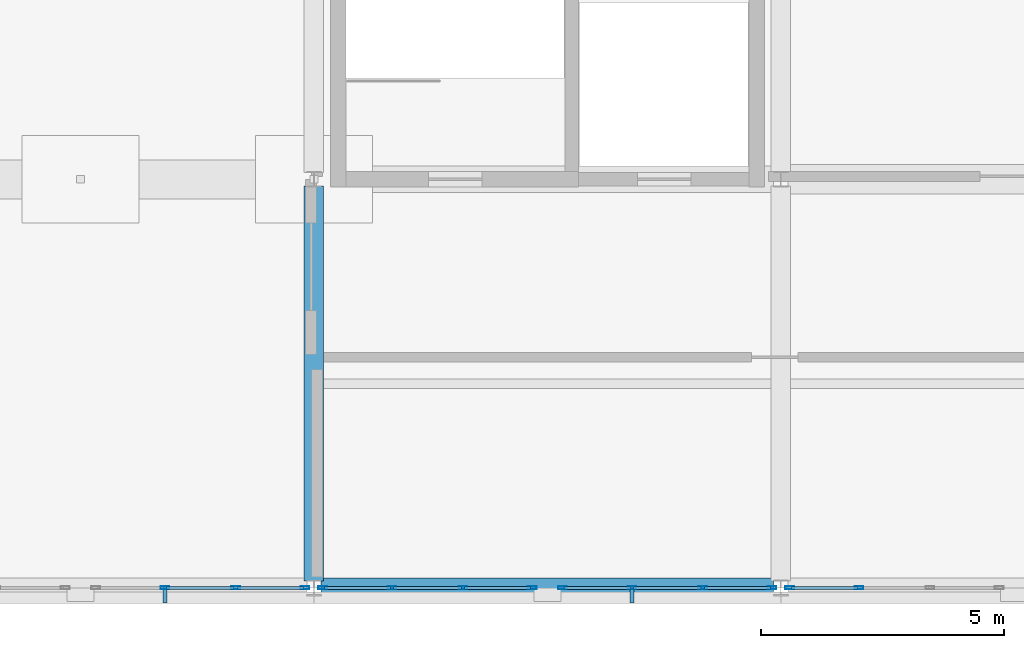
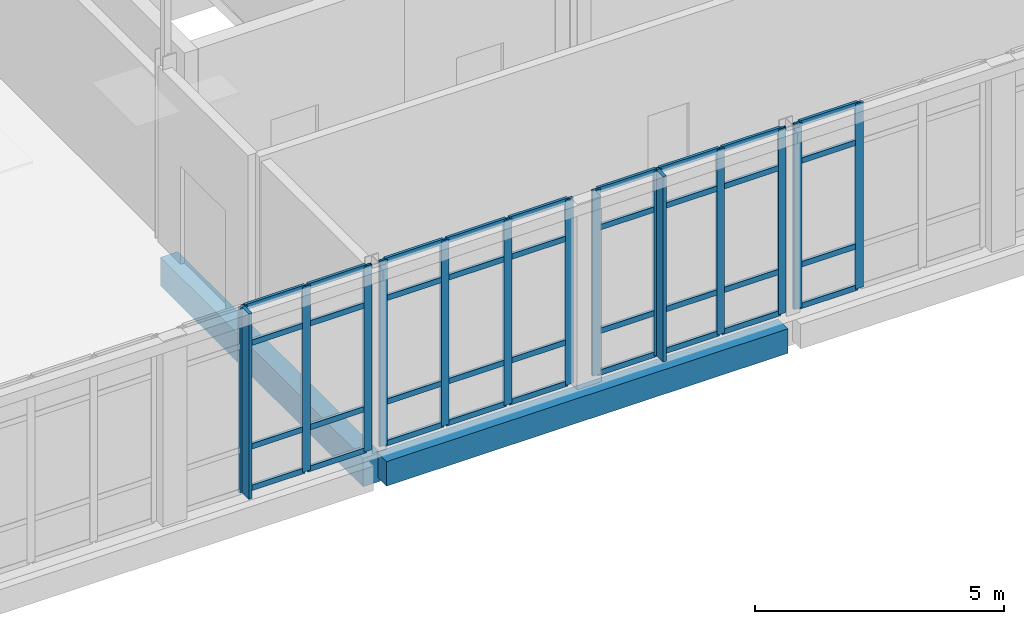
# One storey, part 10 of 88: 51 members, 2 beams, 4 elements without a shape of their own.
"""IFC4 building model written with IfcOpenShell, lengths in metres."""

import ifcopenshell
import ifcopenshell.guid

model = None  # the IFC model being written
_history = None  # IfcOwnerHistory: only IFC2X3 demands one
_inside = {}  # id of a spatial element -> (the spatial element, [elements in it])
_under = {}  # id of a project, library or spatial element -> (it, [spatial elements below it])
_declared = {}  # id of a project -> (the project, [libraries it declares])
_typed = {}  # id of a type object -> (the type object, [elements of that type])
_made_of = {}  # id of a material, layer set ... -> (it, [elements and type objects made of it])


def new_model(schema):
    """Start an empty IFC model of exactly this schema.

    Asked for "IFC4X3", IfcOpenShell would pick the latest addendum, in which some entities
    have other attributes; the version numbers below select the first issue.
    IFC2X3 requires an IfcOwnerHistory on every rooted entity: one is made here for all.
    """
    global model, _history
    if schema == "IFC4X3":
        model = ifcopenshell.file(schema_version=(4, 3, 0, 0))
    else:
        model = ifcopenshell.file(schema=schema)
    _inside.clear()
    _under.clear()
    _declared.clear()
    _typed.clear()
    _made_of.clear()
    _history = None
    if model.schema == "IFC2X3":
        org = make("IfcOrganization", Name="unknown")
        user = make(
            "IfcPersonAndOrganization",
            ThePerson=make("IfcPerson", FamilyName="unknown"),
            TheOrganization=org,
        )
        app = make(
            "IfcApplication",
            ApplicationDeveloper=org,
            Version="unknown",
            ApplicationFullName="unknown",
            ApplicationIdentifier="unknown",
        )
        _history = make(
            "IfcOwnerHistory",
            OwningUser=user,
            OwningApplication=app,
            ChangeAction="ADDED",
            CreationDate=0,
        )
    return model


def make(cls, **values):
    """One entity of the class cls with the attributes given. An attribute that is None is left unset."""
    return model.create_entity(
        cls, **{name: value for name, value in values.items() if value is not None}
    )


def rooted(cls, **values):
    """An entity with a GlobalId (a new one), such as an element, a storey or a relation."""
    return make(cls, GlobalId=ifcopenshell.guid.new(), OwnerHistory=_history, **values)


def si_unit(unit_type, name, prefix=None):
    """IfcSIUnit, for example si_unit("LENGTHUNIT", "METRE", prefix="MILLI")."""
    return make("IfcSIUnit", UnitType=unit_type, Prefix=prefix, Name=name)


def assignment(units):
    """IfcUnitAssignment: the units of a project."""
    return None if units is None else make("IfcUnitAssignment", Units=units)


def point(xyz):
    """IfcCartesianPoint."""
    return None if xyz is None else make("IfcCartesianPoint", Coordinates=xyz)


def direction(xyz):
    """IfcDirection."""
    return None if xyz is None else make("IfcDirection", DirectionRatios=xyz)


def frame(location, z_axis=None, x_axis=None):
    """IfcAxis2Placement3D, a coordinate frame: its origin and axes. An axis left out is left unset."""
    return make(
        "IfcAxis2Placement3D",
        Location=point(location),
        Axis=direction(z_axis),
        RefDirection=direction(x_axis),
    )


def frame_2d(location, x_axis=None):
    """IfcAxis2Placement2D, a coordinate frame in the plane: its origin and x axis."""
    return make(
        "IfcAxis2Placement2D", Location=point(location), RefDirection=direction(x_axis)
    )


def origin():
    """The frame at (0, 0, 0) with its axes left unset."""
    return frame((0.0, 0.0, 0.0))


def origin_2d():
    """The frame at (0, 0) in the plane with its x axis left unset."""
    return frame_2d((0.0, 0.0))


def place(relative_to, where):
    """IfcLocalPlacement: puts the frame where relative to a parent placement (None: the world)."""
    return make(
        "IfcLocalPlacement", PlacementRelTo=relative_to, RelativePlacement=where
    )


def context(
    kind, dimensions, precision=None, world=None, true_north=None, identifier=None
):
    """IfcGeometricRepresentationContext, for example the 3D "Model" context."""
    return make(
        "IfcGeometricRepresentationContext",
        ContextIdentifier=identifier,
        ContextType=kind,
        CoordinateSpaceDimension=dimensions,
        Precision=precision,
        WorldCoordinateSystem=world,
        TrueNorth=true_north,
    )


def subcontext(parent, identifier, kind, view, scale=None):
    """IfcGeometricRepresentationSubContext, for example "Body" below "Model"."""
    return make(
        "IfcGeometricRepresentationSubContext",
        ContextIdentifier=identifier,
        ContextType=kind,
        ParentContext=parent,
        TargetScale=scale,
        TargetView=view,
    )


def project(units=None, contexts=None):
    """IfcProject with its units and contexts."""
    return rooted(
        "IfcProject",
        Name="project",
        RepresentationContexts=contexts,
        UnitsInContext=assignment(units),
    )


def spatial(cls, under=None, at=None, **own):
    """A site, building, storey or space (cls), placed at a placement, below another one or the project."""
    s = rooted(cls, ObjectPlacement=at, **own)
    if under is not None:
        _under.setdefault(under.id(), (under, []))[1].append(s)
    return s


def profile(cls, at=None, kind="AREA", **sizes):
    """A parametric profile (cls). Its sizes go by their IFC names, for example OverallWidth=200.0."""
    return make(cls, ProfileType=kind, Position=at, **sizes)


def rectangle(**sizes):
    """IfcRectangleProfileDef."""
    return profile("IfcRectangleProfileDef", **sizes)


def hollow_rectangle(**sizes):
    """IfcRectangleHollowProfileDef."""
    return profile("IfcRectangleHollowProfileDef", **sizes)


def extrude(swept, where, along, depth):
    """IfcExtrudedAreaSolid: the profile swept, set in the frame where, extruded along a direction by depth."""
    return make(
        "IfcExtrudedAreaSolid",
        SweptArea=swept,
        Position=where,
        ExtrudedDirection=direction(along),
        Depth=depth,
    )


def shape(context_of_items, identifier, shape_type, items):
    """IfcShapeRepresentation: the items that make up one representation, for example the "Body"."""
    return make(
        "IfcShapeRepresentation",
        ContextOfItems=context_of_items,
        RepresentationIdentifier=identifier,
        RepresentationType=shape_type,
        Items=items,
    )


def material(Name=None, Category=None):
    """IfcMaterial."""
    return make("IfcMaterial", Name=Name, Category=Category)


def layer(
    of_material, thickness, ventilated=None, Name=None, Category=None, Priority=None
):
    """IfcMaterialLayer: one layer of a wall or slab, of a material (None: an air gap)."""
    return make(
        "IfcMaterialLayer",
        Material=of_material,
        LayerThickness=thickness,
        IsVentilated=ventilated,
        Name=Name,
        Category=Category,
        Priority=Priority,
    )


def layer_set(layers, Name=None):
    """IfcMaterialLayerSet."""
    return make("IfcMaterialLayerSet", MaterialLayers=layers, LayerSetName=Name)


def material_profile(
    of_material, cross_section, Name=None, Category=None, Priority=None
):
    """IfcMaterialProfile: a cross section and its material."""
    return make(
        "IfcMaterialProfile",
        Name=Name,
        Material=of_material,
        Profile=cross_section,
        Priority=Priority,
        Category=Category,
    )


def profile_set(profiles, Name=None, composite=None):
    """IfcMaterialProfileSet."""
    return make(
        "IfcMaterialProfileSet",
        Name=Name,
        MaterialProfiles=profiles,
        CompositeProfile=composite,
    )


def made_of(thing, what):
    """Note that an element or type object is made of a material, layer set ...; save() writes the relation."""
    if what is not None:
        _made_of.setdefault(what.id(), (what, []))[1].append(thing)
    return thing


def type_object(cls, material=None, **own):
    """A type object (cls), such as IfcWallType, which elements share."""
    return made_of(rooted(cls, **own), material)


def element(
    cls,
    number,
    at=None,
    inside=None,
    cuts=None,
    type_object=None,
    material=None,
    context=None,
    identifier="Body",
    shape_type=None,
    held_by="IfcProductDefinitionShape",
    body=None,
    shapes=None,
    **own,
):
    """One element of the class cls, such as IfcWall. Its Tag is "e" and its number.

    at: its placement. inside: the storey or other place that contains it. cuts: it is an
    opening in that element (IfcRelVoidsElement). A single representation is given by context,
    identifier, shape_type and body (its items); several are given by shapes. held_by: the class
    of the entity that holds the representations. save() writes the other relations.
    """
    e = rooted(cls, Tag="e%d" % number, ObjectPlacement=at, **own)
    if body is not None:
        shapes = [shape(context, identifier, shape_type, body)]
    if shapes is not None:
        e.Representation = make(held_by, Representations=shapes)
    if inside is not None:
        _inside.setdefault(inside.id(), (inside, []))[1].append(e)
    if cuts is not None:
        rooted(
            "IfcRelVoidsElement", RelatingBuildingElement=cuts, RelatedOpeningElement=e
        )
    if type_object is not None:
        _typed.setdefault(type_object.id(), (type_object, []))[1].append(e)
    return made_of(e, material)


def aggregate(whole, parts):
    """IfcRelAggregates: a whole, such as a stair, and the parts it consists of."""
    return rooted("IfcRelAggregates", RelatingObject=whole, RelatedObjects=parts)


def save(model, path):
    """Write the relations noted so far, then the file.

    IfcRelAggregates (storeys below a building ...), IfcRelContainedInSpatialStructure (elements
    in a storey), IfcRelDefinesByType, IfcRelAssociatesMaterial and IfcRelDeclares: one each for
    every whole, place, type object, material and project.
    """
    for whole, parts in _under.values():
        aggregate(whole, parts)
    for where, things in _inside.values():
        rooted(
            "IfcRelContainedInSpatialStructure",
            RelatedElements=things,
            RelatingStructure=where,
        )
    for kind, things in _typed.values():
        rooted("IfcRelDefinesByType", RelatedObjects=things, RelatingType=kind)
    for what, things in _made_of.values():
        rooted("IfcRelAssociatesMaterial", RelatedObjects=things, RelatingMaterial=what)
    for by, libraries in _declared.values():
        rooted("IfcRelDeclares", RelatingContext=by, RelatedDefinitions=libraries)
    model.write(path)


model = new_model("IFC4")

# Units and contexts
model_context = context("Model", 3, precision=1e-05, world=origin(), true_north=direction((0.0, 1.0)))
body_context = subcontext(model_context, "Body", "Model", "MODEL_VIEW")
ifc_project = project(units=[si_unit("LENGTHUNIT", "METRE"), si_unit("AREAUNIT", "SQUARE_METRE"), si_unit("VOLUMEUNIT", "CUBIC_METRE"), si_unit("PLANEANGLEUNIT", "RADIAN"), si_unit("MASSUNIT", "GRAM", prefix="KILO")], contexts=[model_context])

# Site, building, storey
site_placement = place(None, origin())
site = spatial("IfcSite", under=ifc_project, at=site_placement, CompositionType="ELEMENT")
building_placement = place(site_placement, origin())
building = spatial("IfcBuilding", under=site, at=building_placement, Name="Lornevale Opera House", CompositionType="ELEMENT")
storey_placement = place(building_placement, frame((0.0, 0.0, 10.199951171875)))
storey = spatial("IfcBuildingStorey", under=building, at=storey_placement, Name="L03", CompositionType="ELEMENT", Elevation=10.199951171875)

# Beams
ifc_material_1 = material(Name="Concrete 35 MPa (CSA A23.1 N)", Category="concrete")
ifc_material_profile_1 = material_profile(ifc_material_1, rectangle(XDim=0.39990234375, YDim=0.699951171875, at=origin_2d()), Name="RC400x700")
ifc_profile_set_1 = profile_set([ifc_material_profile_1], Name="Concrete 35 MPa (CSA A23.1 N)")
beam_type_1 = type_object("IfcBeamType", Name="Concrete Floor Beam 400x700", PredefinedType="USERDEFINED", material=ifc_profile_set_1)
beam_1_placement = place(storey_placement, frame((19.199951171875, 0.137451171875, -0.6298828125), z_axis=(0.0, 1.0, 0.0), x_axis=(-1.0, 0.0, 0.0)))
element("IfcBeam", 1, at=beam_1_placement, inside=storey, type_object=beam_type_1, Name="Concrete Floor Beam 400x700 2238", ObjectType="GIRDER", PredefinedType="USERDEFINED", context=body_context, shape_type="SweptSolid", body=[
    extrude(rectangle(XDim=0.39990234375, YDim=0.699951171875, at=origin_2d()), origin(), (0.0, 0.0, 1.0), 8.125),
])
ifc_material_profile_2 = material_profile(ifc_material_1, rectangle(XDim=0.39990234375, YDim=0.60009765625, at=origin_2d()), Name="RC400x600")
ifc_profile_set_2 = profile_set([ifc_material_profile_2], Name="Concrete 35 MPa (CSA A23.1 N)")
beam_type_2 = type_object("IfcBeamType", Name="Concrete Spandrel Beam 400x600", PredefinedType="SPANDREL", material=ifc_profile_set_2)
beam_2_placement = place(storey_placement, frame((19.346923828125, 0.0, -0.579833984375), z_axis=(1.0, 0.0, 0.0), x_axis=(0.0, 1.0, 0.0)))
element("IfcBeam", 2, at=beam_2_placement, inside=storey, type_object=beam_type_2, Name="Concrete Spandrel Beam 400x600 2084", PredefinedType="SPANDREL", context=body_context, shape_type="SweptSolid", body=[
    extrude(rectangle(XDim=0.39990234375, YDim=0.60009765625, at=origin_2d()), origin(), (0.0, 0.0, 1.0), 9.30615234375),
])

# Curtain wall, members
ifc_material_2 = material(Name="Anodized Oxide-Green Aluminium Framing", Category="aluminium")
ifc_layer = layer(ifc_material_2, 0.175048828125)
ifc_layer_set = layer_set([ifc_layer], Name="Anodized Oxide-Green Aluminium Framing")
curtain_wall_type = type_object("IfcCurtainWallType", Name="Chamber Cloister Curtain Wall M1700", PredefinedType="NOTDEFINED", material=ifc_layer_set)
curtain_wall_1_placement = place(storey_placement, origin())
curtain_wall_1 = element("IfcCurtainWall", 3, at=curtain_wall_1_placement, inside=storey, type_object=curtain_wall_type, Name="Chamber Cloister Curtain Wall M1700 CW-100", PredefinedType="NOTDEFINED")
ifc_material_profile_3 = material_profile(ifc_material_2, hollow_rectangle(XDim=0.06494140625, YDim=0.179931640625, WallThickness=0.0048828125, at=origin_2d()), Name="ALU65x180x5")
ifc_profile_set_3 = profile_set([ifc_material_profile_3], Name="Anodized Oxide-Green Aluminium Framing")
member_type_1 = type_object("IfcMemberType", Name="Curtain Wall Mullion 65x180", PredefinedType="MULLION", material=ifc_profile_set_3)
member_1_placement = place(storey_placement, frame((19.01708984375, 0.0, 0.0), z_axis=(0.0, 0.0, 1.0), x_axis=(0.0, -1.0, 0.0)))
member_1 = element("IfcMember", 4, at=member_1_placement, type_object=member_type_1, Name="Curtain Wall Mullion 65x180 CW2020", PredefinedType="MULLION", context=body_context, shape_type="SweptSolid", body=[
    extrude(hollow_rectangle(XDim=0.06494140625, YDim=0.179931640625, WallThickness=0.0048828125, at=origin_2d()), origin(), (0.0, 0.0, 1.0), 4.5400390625),
])
member_2_placement = place(storey_placement, frame((17.593017578125, 0.0, 0.0), z_axis=(0.0, 0.0, 1.0), x_axis=(0.0, -1.0, 0.0)))
member_2 = element("IfcMember", 5, at=member_2_placement, type_object=member_type_1, Name="Curtain Wall Mullion 65x180 CW2021", PredefinedType="MULLION", context=body_context, shape_type="SweptSolid", body=[
    extrude(hollow_rectangle(XDim=0.06494140625, YDim=0.179931640625, WallThickness=0.0048828125, at=origin_2d()), origin(), (0.0, 0.0, 1.0), 4.5400390625),
])
member_3_placement = place(storey_placement, frame((16.136474609375, 0.0, 0.0), z_axis=(0.0, 0.0, 1.0), x_axis=(0.0, -1.0, 0.0)))
member_3 = element("IfcMember", 6, at=member_3_placement, type_object=member_type_1, Name="Curtain Wall Mullion 65x180 CW2022", PredefinedType="MULLION", context=body_context, shape_type="SweptSolid", body=[
    extrude(hollow_rectangle(XDim=0.06494140625, YDim=0.179931640625, WallThickness=0.0048828125, at=origin_2d()), origin(), (0.0, 0.0, 1.0), 4.5400390625),
])

curtain_wall_2_placement = place(storey_placement, origin())
curtain_wall_2 = element("IfcCurtainWall", 7, at=curtain_wall_2_placement, inside=storey, type_object=curtain_wall_type, Name="Chamber Cloister Curtain Wall M1700 CW-108", PredefinedType="NOTDEFINED")
member_4_placement = place(storey_placement, frame((28.616943359375, 0.0, 0.0), z_axis=(0.0, 0.0, 1.0), x_axis=(0.0, -1.0, 0.0)))
member_4 = element("IfcMember", 8, at=member_4_placement, type_object=member_type_1, Name="Curtain Wall Mullion 65x180 CW2220", PredefinedType="MULLION", context=body_context, shape_type="SweptSolid", body=[
    extrude(hollow_rectangle(XDim=0.06494140625, YDim=0.179931640625, WallThickness=0.0048828125, at=origin_2d()), origin(), (0.0, 0.0, 1.0), 4.5400390625),
])
member_5_placement = place(storey_placement, frame((27.193115234375, 0.0, 0.0), z_axis=(0.0, 0.0, 1.0), x_axis=(0.0, -1.0, 0.0)))
member_5 = element("IfcMember", 9, at=member_5_placement, type_object=member_type_1, Name="Curtain Wall Mullion 65x180 CW2221", PredefinedType="MULLION", context=body_context, shape_type="SweptSolid", body=[
    extrude(hollow_rectangle(XDim=0.06494140625, YDim=0.179931640625, WallThickness=0.0048828125, at=origin_2d()), origin(), (0.0, 0.0, 1.0), 4.5400390625),
])
member_6_placement = place(storey_placement, frame((25.736572265625, 0.0, 0.0), z_axis=(0.0, 0.0, 1.0), x_axis=(0.0, -1.0, 0.0)))
member_6 = element("IfcMember", 10, at=member_6_placement, type_object=member_type_1, Name="Curtain Wall Mullion 65x180 CW2222", PredefinedType="MULLION", context=body_context, shape_type="SweptSolid", body=[
    extrude(hollow_rectangle(XDim=0.06494140625, YDim=0.179931640625, WallThickness=0.0048828125, at=origin_2d()), origin(), (0.0, 0.0, 1.0), 4.5400390625),
])
member_7_placement = place(storey_placement, frame((24.3125, 0.0, 0.0), z_axis=(0.0, 0.0, 1.0), x_axis=(0.0, -1.0, 0.0)))
member_7 = element("IfcMember", 11, at=member_7_placement, type_object=member_type_1, Name="Curtain Wall Mullion 65x180 CW2223", PredefinedType="MULLION", context=body_context, shape_type="SweptSolid", body=[
    extrude(hollow_rectangle(XDim=0.06494140625, YDim=0.179931640625, WallThickness=0.0048828125, at=origin_2d()), origin(), (0.0, 0.0, 1.0), 4.5400390625),
])

curtain_wall_3_placement = place(storey_placement, origin())
curtain_wall_3 = element("IfcCurtainWall", 12, at=curtain_wall_3_placement, inside=storey, type_object=curtain_wall_type, Name="Chamber Cloister Curtain Wall M1700 CW-109", PredefinedType="NOTDEFINED")
member_8_placement = place(storey_placement, frame((23.6875, 0.0, 0.0), z_axis=(0.0, 0.0, 1.0), x_axis=(0.0, -1.0, 0.0)))
member_8 = element("IfcMember", 13, at=member_8_placement, type_object=member_type_1, Name="Curtain Wall Mullion 65x180 CW2245", PredefinedType="MULLION", context=body_context, shape_type="SweptSolid", body=[
    extrude(hollow_rectangle(XDim=0.06494140625, YDim=0.179931640625, WallThickness=0.0048828125, at=origin_2d()), origin(), (0.0, 0.0, 1.0), 4.5400390625),
])
member_9_placement = place(storey_placement, frame((22.263427734375, 0.0, 0.0), z_axis=(0.0, 0.0, 1.0), x_axis=(0.0, -1.0, 0.0)))
member_9 = element("IfcMember", 14, at=member_9_placement, type_object=member_type_1, Name="Curtain Wall Mullion 65x180 CW2246", PredefinedType="MULLION", context=body_context, shape_type="SweptSolid", body=[
    extrude(hollow_rectangle(XDim=0.06494140625, YDim=0.179931640625, WallThickness=0.0048828125, at=origin_2d()), origin(), (0.0, 0.0, 1.0), 4.5400390625),
])
member_10_placement = place(storey_placement, frame((20.806884765625, 0.0, 0.0), z_axis=(0.0, 0.0, 1.0), x_axis=(0.0, -1.0, 0.0)))
member_10 = element("IfcMember", 15, at=member_10_placement, type_object=member_type_1, Name="Curtain Wall Mullion 65x180 CW2247", PredefinedType="MULLION", context=body_context, shape_type="SweptSolid", body=[
    extrude(hollow_rectangle(XDim=0.06494140625, YDim=0.179931640625, WallThickness=0.0048828125, at=origin_2d()), origin(), (0.0, 0.0, 1.0), 4.5400390625),
])
member_11_placement = place(storey_placement, frame((19.383056640625, 0.0, 0.0), z_axis=(0.0, 0.0, 1.0), x_axis=(0.0, -1.0, 0.0)))
member_11 = element("IfcMember", 16, at=member_11_placement, type_object=member_type_1, Name="Curtain Wall Mullion 65x180 CW2248", PredefinedType="MULLION", context=body_context, shape_type="SweptSolid", body=[
    extrude(hollow_rectangle(XDim=0.06494140625, YDim=0.179931640625, WallThickness=0.0048828125, at=origin_2d()), origin(), (0.0, 0.0, 1.0), 4.5400390625),
])

curtain_wall_4_placement = place(storey_placement, origin())
curtain_wall_4 = element("IfcCurtainWall", 17, at=curtain_wall_4_placement, inside=storey, type_object=curtain_wall_type, Name="Chamber Cloister Curtain Wall M1700 CW-117", PredefinedType="NOTDEFINED")
member_12_placement = place(storey_placement, frame((30.406982421875, 0.0, 0.0), z_axis=(0.0, 0.0, 1.0), x_axis=(0.0, -1.0, 0.0)))
member_12 = element("IfcMember", 18, at=member_12_placement, type_object=member_type_1, Name="Curtain Wall Mullion 65x180 CW2439", PredefinedType="MULLION", context=body_context, shape_type="SweptSolid", body=[
    extrude(hollow_rectangle(XDim=0.06494140625, YDim=0.179931640625, WallThickness=0.0048828125, at=origin_2d()), origin(), (0.0, 0.0, 1.0), 4.5400390625),
])
member_13_placement = place(storey_placement, frame((28.98291015625, 0.0, 0.0), z_axis=(0.0, 0.0, 1.0), x_axis=(0.0, -1.0, 0.0)))
member_13 = element("IfcMember", 19, at=member_13_placement, type_object=member_type_1, Name="Curtain Wall Mullion 65x180 CW2440", PredefinedType="MULLION", context=body_context, shape_type="SweptSolid", body=[
    extrude(hollow_rectangle(XDim=0.06494140625, YDim=0.179931640625, WallThickness=0.0048828125, at=origin_2d()), origin(), (0.0, 0.0, 1.0), 4.5400390625),
])

# Member
ifc_material_profile_4 = material_profile(ifc_material_2, hollow_rectangle(XDim=0.06494140625, YDim=0.135009765625, WallThickness=0.00390625, at=origin_2d()), Name="ALU65x135x4")
ifc_profile_set_4 = profile_set([ifc_material_profile_4], Name="Anodized Oxide-Green Aluminium Framing")
member_type_2 = type_object("IfcMemberType", Name="Curtain Wall Transom 65x135", PredefinedType="USERDEFINED", material=ifc_profile_set_4)
member_14_placement = place(storey_placement, frame((18.984619140625, 0.0, 0.032470703125), z_axis=(-1.0, 0.0, 0.0), x_axis=(0.0, -1.0, 0.0)))
member_14 = element("IfcMember", 20, at=member_14_placement, type_object=member_type_2, Name="Curtain Wall Transom 65x135 CW2024", ObjectType="TRANSOM", PredefinedType="USERDEFINED", context=body_context, shape_type="SweptSolid", body=[
    extrude(hollow_rectangle(XDim=0.06494140625, YDim=0.135009765625, WallThickness=0.00390625, at=origin_2d()), origin(), (0.0, 0.0, 1.0), 1.359130859375),
])

member_15_placement = place(storey_placement, frame((18.984619140625, 0.0, 1.050048828125), z_axis=(-1.0, 0.0, 0.0), x_axis=(0.0, -1.0, 0.0)))
member_15 = element("IfcMember", 21, at=member_15_placement, type_object=member_type_2, Name="Curtain Wall Transom 65x135 CW2025", ObjectType="TRANSOM", PredefinedType="USERDEFINED", context=body_context, shape_type="SweptSolid", body=[
    extrude(hollow_rectangle(XDim=0.06494140625, YDim=0.135009765625, WallThickness=0.00390625, at=origin_2d()), origin(), (0.0, 0.0, 1.0), 1.359130859375),
])

member_16_placement = place(storey_placement, frame((18.984619140625, 0.0, 3.590087890625), z_axis=(-1.0, 0.0, 0.0), x_axis=(0.0, -1.0, 0.0)))
member_16 = element("IfcMember", 22, at=member_16_placement, type_object=member_type_2, Name="Curtain Wall Transom 65x135 CW2026", ObjectType="TRANSOM", PredefinedType="USERDEFINED", context=body_context, shape_type="SweptSolid", body=[
    extrude(hollow_rectangle(XDim=0.06494140625, YDim=0.135009765625, WallThickness=0.00390625, at=origin_2d()), origin(), (0.0, 0.0, 1.0), 1.359130859375),
])

member_17_placement = place(storey_placement, frame((18.984619140625, 0.0, 4.507568359375), z_axis=(-1.0, 0.0, 0.0), x_axis=(0.0, -1.0, 0.0)))
member_17 = element("IfcMember", 23, at=member_17_placement, type_object=member_type_2, Name="Curtain Wall Transom 65x135 CW2027", ObjectType="TRANSOM", PredefinedType="USERDEFINED", context=body_context, shape_type="SweptSolid", body=[
    extrude(hollow_rectangle(XDim=0.06494140625, YDim=0.135009765625, WallThickness=0.00390625, at=origin_2d()), origin(), (0.0, 0.0, 1.0), 1.359130859375),
])

member_18_placement = place(storey_placement, frame((17.560546875, 0.0, 0.032470703125), z_axis=(-1.0, 0.0, 0.0), x_axis=(0.0, -1.0, 0.0)))
member_18 = element("IfcMember", 24, at=member_18_placement, type_object=member_type_2, Name="Curtain Wall Transom 65x135 CW2031", ObjectType="TRANSOM", PredefinedType="USERDEFINED", context=body_context, shape_type="SweptSolid", body=[
    extrude(hollow_rectangle(XDim=0.06494140625, YDim=0.135009765625, WallThickness=0.00390625, at=origin_2d()), origin(), (0.0, 0.0, 1.0), 1.3916015625),
])

member_19_placement = place(storey_placement, frame((17.560546875, 0.0, 1.050048828125), z_axis=(-1.0, 0.0, 0.0), x_axis=(0.0, -1.0, 0.0)))
member_19 = element("IfcMember", 25, at=member_19_placement, type_object=member_type_2, Name="Curtain Wall Transom 65x135 CW2032", ObjectType="TRANSOM", PredefinedType="USERDEFINED", context=body_context, shape_type="SweptSolid", body=[
    extrude(hollow_rectangle(XDim=0.06494140625, YDim=0.135009765625, WallThickness=0.00390625, at=origin_2d()), origin(), (0.0, 0.0, 1.0), 1.3916015625),
])

member_20_placement = place(storey_placement, frame((17.560546875, 0.0, 3.590087890625), z_axis=(-1.0, 0.0, 0.0), x_axis=(0.0, -1.0, 0.0)))
member_20 = element("IfcMember", 26, at=member_20_placement, type_object=member_type_2, Name="Curtain Wall Transom 65x135 CW2033", ObjectType="TRANSOM", PredefinedType="USERDEFINED", context=body_context, shape_type="SweptSolid", body=[
    extrude(hollow_rectangle(XDim=0.06494140625, YDim=0.135009765625, WallThickness=0.00390625, at=origin_2d()), origin(), (0.0, 0.0, 1.0), 1.3916015625),
])

member_21_placement = place(storey_placement, frame((17.560546875, 0.0, 4.507568359375), z_axis=(-1.0, 0.0, 0.0), x_axis=(0.0, -1.0, 0.0)))
member_21 = element("IfcMember", 27, at=member_21_placement, type_object=member_type_2, Name="Curtain Wall Transom 65x135 CW2034", ObjectType="TRANSOM", PredefinedType="USERDEFINED", context=body_context, shape_type="SweptSolid", body=[
    extrude(hollow_rectangle(XDim=0.06494140625, YDim=0.135009765625, WallThickness=0.00390625, at=origin_2d()), origin(), (0.0, 0.0, 1.0), 1.3916015625),
])

member_22_placement = place(storey_placement, frame((28.58447265625, 0.0, 0.032470703125), z_axis=(-1.0, 0.0, 0.0), x_axis=(0.0, -1.0, 0.0)))
member_22 = element("IfcMember", 28, at=member_22_placement, type_object=member_type_2, Name="Curtain Wall Transom 65x135 CW2224", ObjectType="TRANSOM", PredefinedType="USERDEFINED", context=body_context, shape_type="SweptSolid", body=[
    extrude(hollow_rectangle(XDim=0.06494140625, YDim=0.135009765625, WallThickness=0.00390625, at=origin_2d()), origin(), (0.0, 0.0, 1.0), 1.35888671875),
])

member_23_placement = place(storey_placement, frame((28.58447265625, 0.0, 1.050048828125), z_axis=(-1.0, 0.0, 0.0), x_axis=(0.0, -1.0, 0.0)))
member_23 = element("IfcMember", 29, at=member_23_placement, type_object=member_type_2, Name="Curtain Wall Transom 65x135 CW2225", ObjectType="TRANSOM", PredefinedType="USERDEFINED", context=body_context, shape_type="SweptSolid", body=[
    extrude(hollow_rectangle(XDim=0.06494140625, YDim=0.135009765625, WallThickness=0.00390625, at=origin_2d()), origin(), (0.0, 0.0, 1.0), 1.35888671875),
])

member_24_placement = place(storey_placement, frame((28.58447265625, 0.0, 3.590087890625), z_axis=(-1.0, 0.0, 0.0), x_axis=(0.0, -1.0, 0.0)))
member_24 = element("IfcMember", 30, at=member_24_placement, type_object=member_type_2, Name="Curtain Wall Transom 65x135 CW2226", ObjectType="TRANSOM", PredefinedType="USERDEFINED", context=body_context, shape_type="SweptSolid", body=[
    extrude(hollow_rectangle(XDim=0.06494140625, YDim=0.135009765625, WallThickness=0.00390625, at=origin_2d()), origin(), (0.0, 0.0, 1.0), 1.35888671875),
])

member_25_placement = place(storey_placement, frame((28.58447265625, 0.0, 4.507568359375), z_axis=(-1.0, 0.0, 0.0), x_axis=(0.0, -1.0, 0.0)))
member_25 = element("IfcMember", 31, at=member_25_placement, type_object=member_type_2, Name="Curtain Wall Transom 65x135 CW2227", ObjectType="TRANSOM", PredefinedType="USERDEFINED", context=body_context, shape_type="SweptSolid", body=[
    extrude(hollow_rectangle(XDim=0.06494140625, YDim=0.135009765625, WallThickness=0.00390625, at=origin_2d()), origin(), (0.0, 0.0, 1.0), 1.35888671875),
])

member_26_placement = place(storey_placement, frame((27.160400390625, 0.0, 0.032470703125), z_axis=(-1.0, 0.0, 0.0), x_axis=(0.0, -1.0, 0.0)))
member_26 = element("IfcMember", 32, at=member_26_placement, type_object=member_type_2, Name="Curtain Wall Transom 65x135 CW2231", ObjectType="TRANSOM", PredefinedType="USERDEFINED", context=body_context, shape_type="SweptSolid", body=[
    extrude(hollow_rectangle(XDim=0.06494140625, YDim=0.135009765625, WallThickness=0.00390625, at=origin_2d()), origin(), (0.0, 0.0, 1.0), 1.391357421875),
])

member_27_placement = place(storey_placement, frame((27.160400390625, 0.0, 1.050048828125), z_axis=(-1.0, 0.0, 0.0), x_axis=(0.0, -1.0, 0.0)))
member_27 = element("IfcMember", 33, at=member_27_placement, type_object=member_type_2, Name="Curtain Wall Transom 65x135 CW2232", ObjectType="TRANSOM", PredefinedType="USERDEFINED", context=body_context, shape_type="SweptSolid", body=[
    extrude(hollow_rectangle(XDim=0.06494140625, YDim=0.135009765625, WallThickness=0.00390625, at=origin_2d()), origin(), (0.0, 0.0, 1.0), 1.391357421875),
])

member_28_placement = place(storey_placement, frame((27.160400390625, 0.0, 3.590087890625), z_axis=(-1.0, 0.0, 0.0), x_axis=(0.0, -1.0, 0.0)))
member_28 = element("IfcMember", 34, at=member_28_placement, type_object=member_type_2, Name="Curtain Wall Transom 65x135 CW2233", ObjectType="TRANSOM", PredefinedType="USERDEFINED", context=body_context, shape_type="SweptSolid", body=[
    extrude(hollow_rectangle(XDim=0.06494140625, YDim=0.135009765625, WallThickness=0.00390625, at=origin_2d()), origin(), (0.0, 0.0, 1.0), 1.391357421875),
])

member_29_placement = place(storey_placement, frame((27.160400390625, 0.0, 4.507568359375), z_axis=(-1.0, 0.0, 0.0), x_axis=(0.0, -1.0, 0.0)))
member_29 = element("IfcMember", 35, at=member_29_placement, type_object=member_type_2, Name="Curtain Wall Transom 65x135 CW2234", ObjectType="TRANSOM", PredefinedType="USERDEFINED", context=body_context, shape_type="SweptSolid", body=[
    extrude(hollow_rectangle(XDim=0.06494140625, YDim=0.135009765625, WallThickness=0.00390625, at=origin_2d()), origin(), (0.0, 0.0, 1.0), 1.391357421875),
])

member_30_placement = place(storey_placement, frame((25.7041015625, 0.0, 0.032470703125), z_axis=(-1.0, 0.0, 0.0), x_axis=(0.0, -1.0, 0.0)))
member_30 = element("IfcMember", 36, at=member_30_placement, type_object=member_type_2, Name="Curtain Wall Transom 65x135 CW2238", ObjectType="TRANSOM", PredefinedType="USERDEFINED", context=body_context, shape_type="SweptSolid", body=[
    extrude(hollow_rectangle(XDim=0.06494140625, YDim=0.135009765625, WallThickness=0.00390625, at=origin_2d()), origin(), (0.0, 0.0, 1.0), 1.359130859375),
])

member_31_placement = place(storey_placement, frame((25.7041015625, 0.0, 1.050048828125), z_axis=(-1.0, 0.0, 0.0), x_axis=(0.0, -1.0, 0.0)))
member_31 = element("IfcMember", 37, at=member_31_placement, type_object=member_type_2, Name="Curtain Wall Transom 65x135 CW2239", ObjectType="TRANSOM", PredefinedType="USERDEFINED", context=body_context, shape_type="SweptSolid", body=[
    extrude(hollow_rectangle(XDim=0.06494140625, YDim=0.135009765625, WallThickness=0.00390625, at=origin_2d()), origin(), (0.0, 0.0, 1.0), 1.359130859375),
])

member_32_placement = place(storey_placement, frame((25.7041015625, 0.0, 3.590087890625), z_axis=(-1.0, 0.0, 0.0), x_axis=(0.0, -1.0, 0.0)))
member_32 = element("IfcMember", 38, at=member_32_placement, type_object=member_type_2, Name="Curtain Wall Transom 65x135 CW2240", ObjectType="TRANSOM", PredefinedType="USERDEFINED", context=body_context, shape_type="SweptSolid", body=[
    extrude(hollow_rectangle(XDim=0.06494140625, YDim=0.135009765625, WallThickness=0.00390625, at=origin_2d()), origin(), (0.0, 0.0, 1.0), 1.359130859375),
])

member_33_placement = place(storey_placement, frame((25.7041015625, 0.0, 4.507568359375), z_axis=(-1.0, 0.0, 0.0), x_axis=(0.0, -1.0, 0.0)))
member_33 = element("IfcMember", 39, at=member_33_placement, type_object=member_type_2, Name="Curtain Wall Transom 65x135 CW2241", ObjectType="TRANSOM", PredefinedType="USERDEFINED", context=body_context, shape_type="SweptSolid", body=[
    extrude(hollow_rectangle(XDim=0.06494140625, YDim=0.135009765625, WallThickness=0.00390625, at=origin_2d()), origin(), (0.0, 0.0, 1.0), 1.359130859375),
])

member_34_placement = place(storey_placement, frame((23.655029296875, 0.0, 0.032470703125), z_axis=(-1.0, 0.0, 0.0), x_axis=(0.0, -1.0, 0.0)))
member_34 = element("IfcMember", 40, at=member_34_placement, type_object=member_type_2, Name="Curtain Wall Transom 65x135 CW2249", ObjectType="TRANSOM", PredefinedType="USERDEFINED", context=body_context, shape_type="SweptSolid", body=[
    extrude(hollow_rectangle(XDim=0.06494140625, YDim=0.135009765625, WallThickness=0.00390625, at=origin_2d()), origin(), (0.0, 0.0, 1.0), 1.359130859375),
])

member_35_placement = place(storey_placement, frame((23.655029296875, 0.0, 1.050048828125), z_axis=(-1.0, 0.0, 0.0), x_axis=(0.0, -1.0, 0.0)))
member_35 = element("IfcMember", 41, at=member_35_placement, type_object=member_type_2, Name="Curtain Wall Transom 65x135 CW2250", ObjectType="TRANSOM", PredefinedType="USERDEFINED", context=body_context, shape_type="SweptSolid", body=[
    extrude(hollow_rectangle(XDim=0.06494140625, YDim=0.135009765625, WallThickness=0.00390625, at=origin_2d()), origin(), (0.0, 0.0, 1.0), 1.359130859375),
])

member_36_placement = place(storey_placement, frame((23.655029296875, 0.0, 3.590087890625), z_axis=(-1.0, 0.0, 0.0), x_axis=(0.0, -1.0, 0.0)))
member_36 = element("IfcMember", 42, at=member_36_placement, type_object=member_type_2, Name="Curtain Wall Transom 65x135 CW2251", ObjectType="TRANSOM", PredefinedType="USERDEFINED", context=body_context, shape_type="SweptSolid", body=[
    extrude(hollow_rectangle(XDim=0.06494140625, YDim=0.135009765625, WallThickness=0.00390625, at=origin_2d()), origin(), (0.0, 0.0, 1.0), 1.359130859375),
])

member_37_placement = place(storey_placement, frame((23.655029296875, 0.0, 4.507568359375), z_axis=(-1.0, 0.0, 0.0), x_axis=(0.0, -1.0, 0.0)))
member_37 = element("IfcMember", 43, at=member_37_placement, type_object=member_type_2, Name="Curtain Wall Transom 65x135 CW2252", ObjectType="TRANSOM", PredefinedType="USERDEFINED", context=body_context, shape_type="SweptSolid", body=[
    extrude(hollow_rectangle(XDim=0.06494140625, YDim=0.135009765625, WallThickness=0.00390625, at=origin_2d()), origin(), (0.0, 0.0, 1.0), 1.359130859375),
])

member_38_placement = place(storey_placement, frame((22.23095703125, 0.0, 0.032470703125), z_axis=(-1.0, 0.0, 0.0), x_axis=(0.0, -1.0, 0.0)))
member_38 = element("IfcMember", 44, at=member_38_placement, type_object=member_type_2, Name="Curtain Wall Transom 65x135 CW2256", ObjectType="TRANSOM", PredefinedType="USERDEFINED", context=body_context, shape_type="SweptSolid", body=[
    extrude(hollow_rectangle(XDim=0.06494140625, YDim=0.135009765625, WallThickness=0.00390625, at=origin_2d()), origin(), (0.0, 0.0, 1.0), 1.391357421875),
])

member_39_placement = place(storey_placement, frame((22.23095703125, 0.0, 1.050048828125), z_axis=(-1.0, 0.0, 0.0), x_axis=(0.0, -1.0, 0.0)))
member_39 = element("IfcMember", 45, at=member_39_placement, type_object=member_type_2, Name="Curtain Wall Transom 65x135 CW2257", ObjectType="TRANSOM", PredefinedType="USERDEFINED", context=body_context, shape_type="SweptSolid", body=[
    extrude(hollow_rectangle(XDim=0.06494140625, YDim=0.135009765625, WallThickness=0.00390625, at=origin_2d()), origin(), (0.0, 0.0, 1.0), 1.391357421875),
])

member_40_placement = place(storey_placement, frame((22.23095703125, 0.0, 3.590087890625), z_axis=(-1.0, 0.0, 0.0), x_axis=(0.0, -1.0, 0.0)))
member_40 = element("IfcMember", 46, at=member_40_placement, type_object=member_type_2, Name="Curtain Wall Transom 65x135 CW2258", ObjectType="TRANSOM", PredefinedType="USERDEFINED", context=body_context, shape_type="SweptSolid", body=[
    extrude(hollow_rectangle(XDim=0.06494140625, YDim=0.135009765625, WallThickness=0.00390625, at=origin_2d()), origin(), (0.0, 0.0, 1.0), 1.391357421875),
])

member_41_placement = place(storey_placement, frame((22.23095703125, 0.0, 4.507568359375), z_axis=(-1.0, 0.0, 0.0), x_axis=(0.0, -1.0, 0.0)))
member_41 = element("IfcMember", 47, at=member_41_placement, type_object=member_type_2, Name="Curtain Wall Transom 65x135 CW2259", ObjectType="TRANSOM", PredefinedType="USERDEFINED", context=body_context, shape_type="SweptSolid", body=[
    extrude(hollow_rectangle(XDim=0.06494140625, YDim=0.135009765625, WallThickness=0.00390625, at=origin_2d()), origin(), (0.0, 0.0, 1.0), 1.391357421875),
])

member_42_placement = place(storey_placement, frame((20.7744140625, 0.0, 0.032470703125), z_axis=(-1.0, 0.0, 0.0), x_axis=(0.0, -1.0, 0.0)))
member_42 = element("IfcMember", 48, at=member_42_placement, type_object=member_type_2, Name="Curtain Wall Transom 65x135 CW2263", ObjectType="TRANSOM", PredefinedType="USERDEFINED", context=body_context, shape_type="SweptSolid", body=[
    extrude(hollow_rectangle(XDim=0.06494140625, YDim=0.135009765625, WallThickness=0.00390625, at=origin_2d()), origin(), (0.0, 0.0, 1.0), 1.35888671875),
])

member_43_placement = place(storey_placement, frame((20.7744140625, 0.0, 1.050048828125), z_axis=(-1.0, 0.0, 0.0), x_axis=(0.0, -1.0, 0.0)))
member_43 = element("IfcMember", 49, at=member_43_placement, type_object=member_type_2, Name="Curtain Wall Transom 65x135 CW2264", ObjectType="TRANSOM", PredefinedType="USERDEFINED", context=body_context, shape_type="SweptSolid", body=[
    extrude(hollow_rectangle(XDim=0.06494140625, YDim=0.135009765625, WallThickness=0.00390625, at=origin_2d()), origin(), (0.0, 0.0, 1.0), 1.35888671875),
])

member_44_placement = place(storey_placement, frame((20.7744140625, 0.0, 3.590087890625), z_axis=(-1.0, 0.0, 0.0), x_axis=(0.0, -1.0, 0.0)))
member_44 = element("IfcMember", 50, at=member_44_placement, type_object=member_type_2, Name="Curtain Wall Transom 65x135 CW2265", ObjectType="TRANSOM", PredefinedType="USERDEFINED", context=body_context, shape_type="SweptSolid", body=[
    extrude(hollow_rectangle(XDim=0.06494140625, YDim=0.135009765625, WallThickness=0.00390625, at=origin_2d()), origin(), (0.0, 0.0, 1.0), 1.35888671875),
])

member_45_placement = place(storey_placement, frame((20.7744140625, 0.0, 4.507568359375), z_axis=(-1.0, 0.0, 0.0), x_axis=(0.0, -1.0, 0.0)))
member_45 = element("IfcMember", 51, at=member_45_placement, type_object=member_type_2, Name="Curtain Wall Transom 65x135 CW2266", ObjectType="TRANSOM", PredefinedType="USERDEFINED", context=body_context, shape_type="SweptSolid", body=[
    extrude(hollow_rectangle(XDim=0.06494140625, YDim=0.135009765625, WallThickness=0.00390625, at=origin_2d()), origin(), (0.0, 0.0, 1.0), 1.35888671875),
])

aggregate(curtain_wall_3, [member_8, member_9, member_10, member_11, member_34, member_35, member_36, member_37, member_38, member_39, member_40, member_41, member_42, member_43, member_44, member_45])

member_46_placement = place(storey_placement, frame((30.37451171875, 0.0, 0.032470703125), z_axis=(-1.0, 0.0, 0.0), x_axis=(0.0, -1.0, 0.0)))
member_46 = element("IfcMember", 52, at=member_46_placement, type_object=member_type_2, Name="Curtain Wall Transom 65x135 CW2455", ObjectType="TRANSOM", PredefinedType="USERDEFINED", context=body_context, shape_type="SweptSolid", body=[
    extrude(hollow_rectangle(XDim=0.06494140625, YDim=0.135009765625, WallThickness=0.00390625, at=origin_2d()), origin(), (0.0, 0.0, 1.0), 1.359130859375),
])

member_47_placement = place(storey_placement, frame((30.37451171875, 0.0, 1.050048828125), z_axis=(-1.0, 0.0, 0.0), x_axis=(0.0, -1.0, 0.0)))
member_47 = element("IfcMember", 53, at=member_47_placement, type_object=member_type_2, Name="Curtain Wall Transom 65x135 CW2456", ObjectType="TRANSOM", PredefinedType="USERDEFINED", context=body_context, shape_type="SweptSolid", body=[
    extrude(hollow_rectangle(XDim=0.06494140625, YDim=0.135009765625, WallThickness=0.00390625, at=origin_2d()), origin(), (0.0, 0.0, 1.0), 1.359130859375),
])

member_48_placement = place(storey_placement, frame((30.37451171875, 0.0, 3.590087890625), z_axis=(-1.0, 0.0, 0.0), x_axis=(0.0, -1.0, 0.0)))
member_48 = element("IfcMember", 54, at=member_48_placement, type_object=member_type_2, Name="Curtain Wall Transom 65x135 CW2457", ObjectType="TRANSOM", PredefinedType="USERDEFINED", context=body_context, shape_type="SweptSolid", body=[
    extrude(hollow_rectangle(XDim=0.06494140625, YDim=0.135009765625, WallThickness=0.00390625, at=origin_2d()), origin(), (0.0, 0.0, 1.0), 1.359130859375),
])

member_49_placement = place(storey_placement, frame((30.37451171875, 0.0, 4.507568359375), z_axis=(-1.0, 0.0, 0.0), x_axis=(0.0, -1.0, 0.0)))
member_49 = element("IfcMember", 55, at=member_49_placement, type_object=member_type_2, Name="Curtain Wall Transom 65x135 CW2458", ObjectType="TRANSOM", PredefinedType="USERDEFINED", context=body_context, shape_type="SweptSolid", body=[
    extrude(hollow_rectangle(XDim=0.06494140625, YDim=0.135009765625, WallThickness=0.00390625, at=origin_2d()), origin(), (0.0, 0.0, 1.0), 1.359130859375),
])

aggregate(curtain_wall_4, [member_12, member_13, member_46, member_47, member_48, member_49])

ifc_material_3 = material(Name="Architectural Bronze Solar Louvre Alloy", Category="metal")
ifc_material_profile_5 = material_profile(ifc_material_3, rectangle(XDim=0.080078125, YDim=0.360107421875, at=origin_2d()), Name="FIN80x360")
ifc_profile_set_5 = profile_set([ifc_material_profile_5], Name="Architectural Bronze Solar Louvre Alloy")
member_type_3 = type_object("IfcMemberType", Name="Solar Shading Fin 80x360", PredefinedType="USERDEFINED", material=ifc_profile_set_5)
member_50_placement = place(storey_placement, frame((16.136474609375, -0.1259765625, 0.0), z_axis=(0.0, 0.0, 1.0), x_axis=(-1.0, 0.0, 0.0)))
member_50 = element("IfcMember", 56, at=member_50_placement, type_object=member_type_3, Name="Solar Shading Fin 80x360 FIN0043", ObjectType="SOLAR FIN", PredefinedType="USERDEFINED", context=body_context, shape_type="SweptSolid", body=[
    extrude(rectangle(XDim=0.080078125, YDim=0.360107421875, at=origin_2d()), origin(), (0.0, 0.0, 1.0), 4.5400390625),
])

aggregate(curtain_wall_1, [member_1, member_2, member_3, member_14, member_15, member_16, member_17, member_18, member_19, member_20, member_21, member_50])

member_51_placement = place(storey_placement, frame((25.736572265625, -0.1259765625, 0.0), z_axis=(0.0, 0.0, 1.0), x_axis=(-1.0, 0.0, 0.0)))
member_51 = element("IfcMember", 57, at=member_51_placement, type_object=member_type_3, Name="Solar Shading Fin 80x360 FIN0045", ObjectType="SOLAR FIN", PredefinedType="USERDEFINED", context=body_context, shape_type="SweptSolid", body=[
    extrude(rectangle(XDim=0.080078125, YDim=0.360107421875, at=origin_2d()), origin(), (0.0, 0.0, 1.0), 4.5400390625),
])

aggregate(curtain_wall_2, [member_4, member_5, member_6, member_7, member_22, member_23, member_24, member_25, member_26, member_27, member_28, member_29, member_30, member_31, member_32, member_33, member_51])

save(model, "model.ifc")
